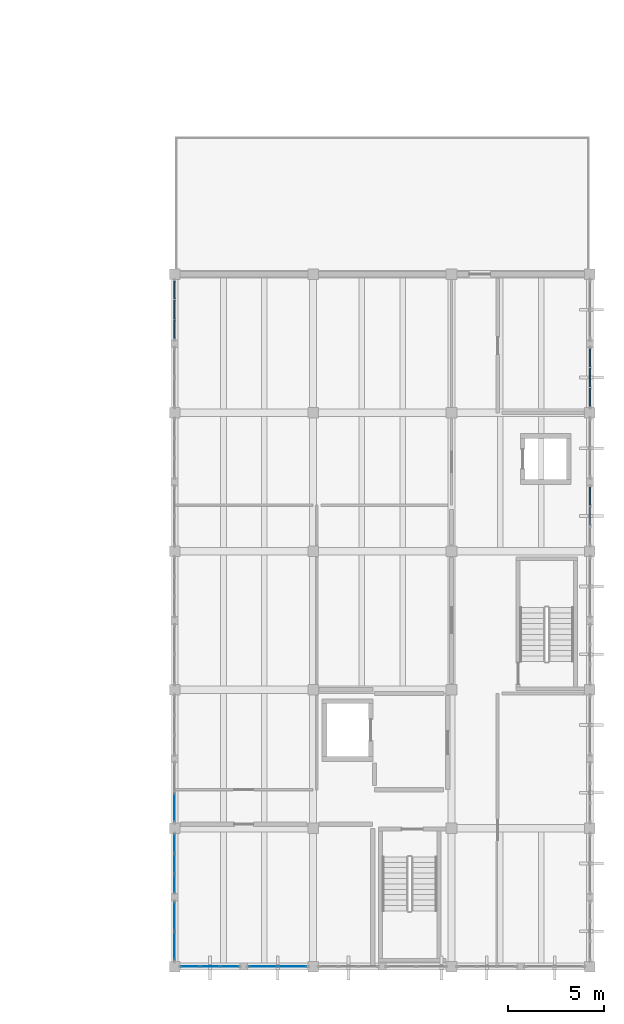
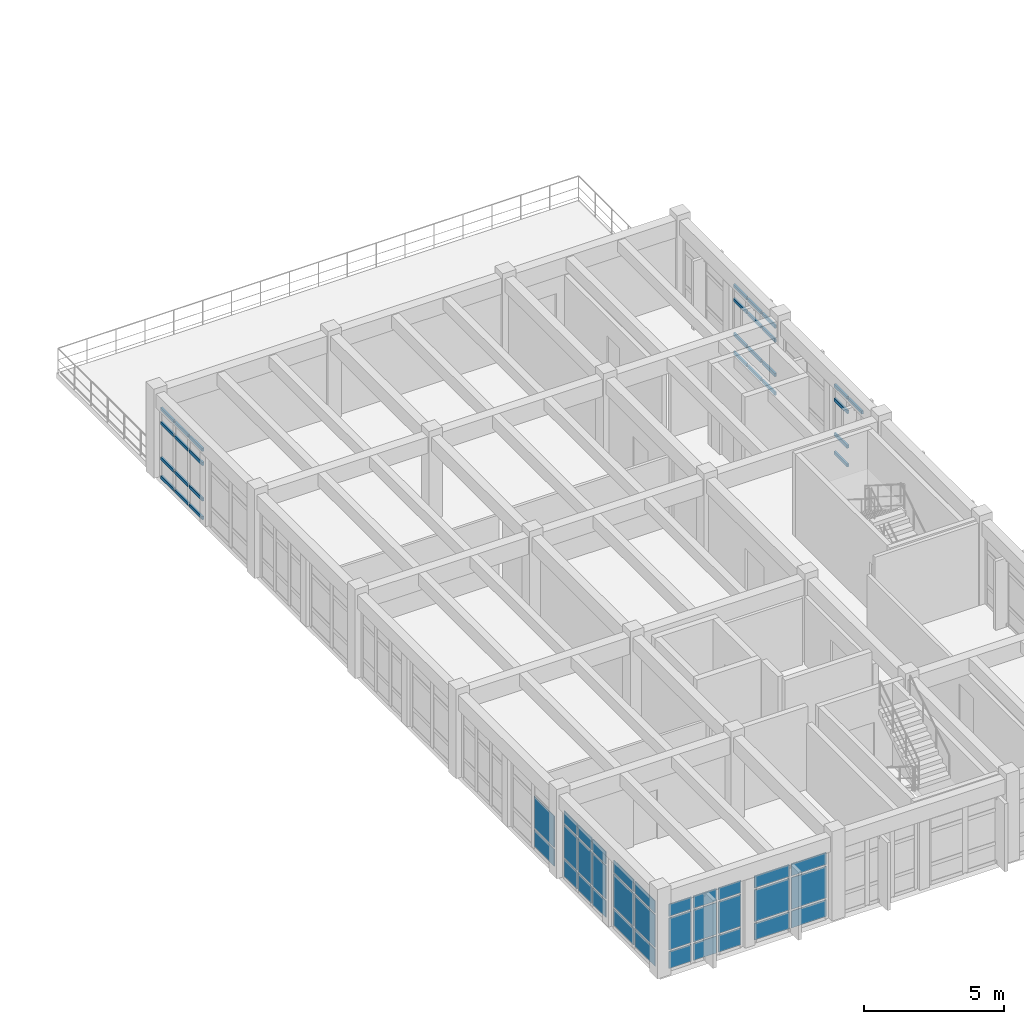
# One storey, part 11 of 22: 32 plates, 29 members, 8 elements without a shape of their own.
"""IFC4 building model written with IfcOpenShell, lengths in metres."""

from ifc_helpers import new_model, si_unit, direction, frame, origin, origin_2d, place, context, subcontext, project, spatial, rectangle, extrude, material, layer, layer_set, material_profile, profile_set, type_object, element, aggregate, save


model = new_model("IFC4")

# Units and contexts
model_context = context("Model", 3, precision=1e-05, world=origin(), true_north=direction((0.0, 1.0)))
body_context = subcontext(model_context, "Body", "Model", "MODEL_VIEW")
ifc_project = project(units=[si_unit("LENGTHUNIT", "METRE"), si_unit("AREAUNIT", "SQUARE_METRE"), si_unit("VOLUMEUNIT", "CUBIC_METRE"), si_unit("PLANEANGLEUNIT", "RADIAN"), si_unit("MASSUNIT", "GRAM", prefix="KILO")], contexts=[model_context])

# Site, building, storey
site_placement = place(None, origin())
site = spatial("IfcSite", under=ifc_project, at=site_placement, CompositionType="ELEMENT")
building_placement = place(site_placement, origin())
building = spatial("IfcBuilding", under=site, at=building_placement, Name="Koriwan Promenade Central Fire Station", CompositionType="ELEMENT")
storey_placement = place(building_placement, frame((0.0, 0.0, 17.39990234375)))
storey = spatial("IfcBuildingStorey", under=building, at=storey_placement, Name="L04", CompositionType="ELEMENT", Elevation=17.39990234375)

# Curtain wall, members
ifc_material_1 = material(Name="Aluminium EN AW-6063-T6 and low-E glazing", Category="aluminium")
ifc_layer_1 = layer(ifc_material_1, 0.159912109375, Name="Aluminium EN AW-6063-T6 and low-E glazing")
ifc_layer_set_1 = layer_set([ifc_layer_1], Name="Aluminium EN AW-6063-T6 and low-E glazing")
curtain_wall_type_1 = type_object("IfcCurtainWallType", Name="CurtainWall_84_312x301", PredefinedType="USERDEFINED", material=ifc_layer_set_1)
curtain_wall_1_placement = place(storey_placement, origin())
curtain_wall_1 = element("IfcCurtainWall", 1, at=curtain_wall_1_placement, inside=storey, type_object=curtain_wall_type_1, Name="V5 L04 unitised curtain wall 257", ObjectType="UNITISED CURTAIN WALL", PredefinedType="USERDEFINED")
ifc_material_2 = material(Name="Aluminium EN AW-6063-T6", Category="aluminium")
ifc_material_profile = material_profile(ifc_material_2, rectangle(XDim=0.074951171875, YDim=0.139892578125, at=origin_2d()), Name="ALU-TRN-75x140")
ifc_profile_set = profile_set([ifc_material_profile], Name="Aluminium EN AW-6063-T6")
member_type = type_object("IfcMemberType", Name="CWTransom_ALU-TRN-75x140", PredefinedType="USERDEFINED", material=ifc_profile_set)
member_1_placement = place(storey_placement, frame((172.800048828125, 22.9541015625, 2.97265625), z_axis=(0.0, 1.0, 0.0), x_axis=(-1.0, 0.0, 0.0)))
member_1 = element("IfcMember", 2, at=member_1_placement, type_object=member_type, Name="CW-84 transom 2.4", ObjectType="TRANSOM", PredefinedType="USERDEFINED", context=body_context, shape_type="SweptSolid", body=[
    extrude(rectangle(XDim=0.074951171875, YDim=0.139892578125, at=origin_2d()), origin(), (0.0, 0.0, 1.0), 0.966796875),
])
member_2_placement = place(storey_placement, frame((172.800048828125, 23.995849609375, 0.03759765625), z_axis=(0.0, 1.0, 0.0), x_axis=(-1.0, 0.0, 0.0)))
member_2 = element("IfcMember", 3, at=member_2_placement, type_object=member_type, Name="CW-84 transom 3.1", ObjectType="TRANSOM", PredefinedType="USERDEFINED", context=body_context, shape_type="SweptSolid", body=[
    extrude(rectangle(XDim=0.074951171875, YDim=0.139892578125, at=origin_2d()), origin(), (0.0, 0.0, 1.0), 0.92919921875),
])
member_3_placement = place(storey_placement, frame((172.800048828125, 23.995849609375, 0.85009765625), z_axis=(0.0, 1.0, 0.0), x_axis=(-1.0, 0.0, 0.0)))
member_3 = element("IfcMember", 4, at=member_3_placement, type_object=member_type, Name="CW-84 transom 3.2", ObjectType="TRANSOM", PredefinedType="USERDEFINED", context=body_context, shape_type="SweptSolid", body=[
    extrude(rectangle(XDim=0.074951171875, YDim=0.139892578125, at=origin_2d()), origin(), (0.0, 0.0, 1.0), 0.92919921875),
])
member_4_placement = place(storey_placement, frame((172.800048828125, 23.995849609375, 2.360107421875), z_axis=(0.0, 1.0, 0.0), x_axis=(-1.0, 0.0, 0.0)))
member_4 = element("IfcMember", 5, at=member_4_placement, type_object=member_type, Name="CW-84 transom 3.3", ObjectType="TRANSOM", PredefinedType="USERDEFINED", context=body_context, shape_type="SweptSolid", body=[
    extrude(rectangle(XDim=0.074951171875, YDim=0.139892578125, at=origin_2d()), origin(), (0.0, 0.0, 1.0), 0.92919921875),
])
member_5_placement = place(storey_placement, frame((172.800048828125, 23.995849609375, 2.97265625), z_axis=(0.0, 1.0, 0.0), x_axis=(-1.0, 0.0, 0.0)))
member_5 = element("IfcMember", 6, at=member_5_placement, type_object=member_type, Name="CW-84 transom 3.4", ObjectType="TRANSOM", PredefinedType="USERDEFINED", context=body_context, shape_type="SweptSolid", body=[
    extrude(rectangle(XDim=0.074951171875, YDim=0.139892578125, at=origin_2d()), origin(), (0.0, 0.0, 1.0), 0.92919921875),
])
aggregate(curtain_wall_1, [member_1, member_2, member_3, member_4, member_5])

ifc_layer_2 = layer(ifc_material_1, 0.159912109375, Name="Aluminium EN AW-6063-T6 and low-E glazing")
ifc_layer_set_2 = layer_set([ifc_layer_2], Name="Aluminium EN AW-6063-T6 and low-E glazing")
curtain_wall_type_2 = type_object("IfcCurtainWallType", Name="CurtainWall_86_313x300", PredefinedType="USERDEFINED", material=ifc_layer_set_2)
curtain_wall_2_placement = place(storey_placement, origin())
curtain_wall_2 = element("IfcCurtainWall", 7, at=curtain_wall_2_placement, inside=storey, type_object=curtain_wall_type_2, Name="V5 L04 unitised curtain wall 259", ObjectType="UNITISED CURTAIN WALL", PredefinedType="USERDEFINED")
member_6_placement = place(storey_placement, frame((172.800048828125, 29.14990234375, 0.03759765625), z_axis=(0.0, 1.0, 0.0), x_axis=(-1.0, 0.0, 0.0)))
member_6 = element("IfcMember", 8, at=member_6_placement, type_object=member_type, Name="CW-86 transom 1.1", ObjectType="TRANSOM", PredefinedType="USERDEFINED", context=body_context, shape_type="SweptSolid", body=[
    extrude(rectangle(XDim=0.074951171875, YDim=0.139892578125, at=origin_2d()), origin(), (0.0, 0.0, 1.0), 0.92919921875),
])
member_7_placement = place(storey_placement, frame((172.800048828125, 29.14990234375, 0.85009765625), z_axis=(0.0, 1.0, 0.0), x_axis=(-1.0, 0.0, 0.0)))
member_7 = element("IfcMember", 9, at=member_7_placement, type_object=member_type, Name="CW-86 transom 1.2", ObjectType="TRANSOM", PredefinedType="USERDEFINED", context=body_context, shape_type="SweptSolid", body=[
    extrude(rectangle(XDim=0.074951171875, YDim=0.139892578125, at=origin_2d()), origin(), (0.0, 0.0, 1.0), 0.92919921875),
])
member_8_placement = place(storey_placement, frame((172.800048828125, 29.14990234375, 2.35009765625), z_axis=(0.0, 1.0, 0.0), x_axis=(-1.0, 0.0, 0.0)))
member_8 = element("IfcMember", 10, at=member_8_placement, type_object=member_type, Name="CW-86 transom 1.3", ObjectType="TRANSOM", PredefinedType="USERDEFINED", context=body_context, shape_type="SweptSolid", body=[
    extrude(rectangle(XDim=0.074951171875, YDim=0.139892578125, at=origin_2d()), origin(), (0.0, 0.0, 1.0), 0.92919921875),
])
member_9_placement = place(storey_placement, frame((172.800048828125, 29.14990234375, 2.962646484375), z_axis=(0.0, 1.0, 0.0), x_axis=(-1.0, 0.0, 0.0)))
member_9 = element("IfcMember", 11, at=member_9_placement, type_object=member_type, Name="CW-86 transom 1.4", ObjectType="TRANSOM", PredefinedType="USERDEFINED", context=body_context, shape_type="SweptSolid", body=[
    extrude(rectangle(XDim=0.074951171875, YDim=0.139892578125, at=origin_2d()), origin(), (0.0, 0.0, 1.0), 0.92919921875),
])
member_10_placement = place(storey_placement, frame((172.800048828125, 30.154052734375, 0.03759765625), z_axis=(0.0, 1.0, 0.0), x_axis=(-1.0, 0.0, 0.0)))
member_10 = element("IfcMember", 12, at=member_10_placement, type_object=member_type, Name="CW-86 transom 2.1", ObjectType="TRANSOM", PredefinedType="USERDEFINED", context=body_context, shape_type="SweptSolid", body=[
    extrude(rectangle(XDim=0.074951171875, YDim=0.139892578125, at=origin_2d()), origin(), (0.0, 0.0, 1.0), 0.966796875),
])
member_11_placement = place(storey_placement, frame((172.800048828125, 30.154052734375, 0.85009765625), z_axis=(0.0, 1.0, 0.0), x_axis=(-1.0, 0.0, 0.0)))
member_11 = element("IfcMember", 13, at=member_11_placement, type_object=member_type, Name="CW-86 transom 2.2", ObjectType="TRANSOM", PredefinedType="USERDEFINED", context=body_context, shape_type="SweptSolid", body=[
    extrude(rectangle(XDim=0.074951171875, YDim=0.139892578125, at=origin_2d()), origin(), (0.0, 0.0, 1.0), 0.966796875),
])
member_12_placement = place(storey_placement, frame((172.800048828125, 30.154052734375, 2.35009765625), z_axis=(0.0, 1.0, 0.0), x_axis=(-1.0, 0.0, 0.0)))
member_12 = element("IfcMember", 14, at=member_12_placement, type_object=member_type, Name="CW-86 transom 2.3", ObjectType="TRANSOM", PredefinedType="USERDEFINED", context=body_context, shape_type="SweptSolid", body=[
    extrude(rectangle(XDim=0.074951171875, YDim=0.139892578125, at=origin_2d()), origin(), (0.0, 0.0, 1.0), 0.966796875),
])
member_13_placement = place(storey_placement, frame((172.800048828125, 30.154052734375, 2.962646484375), z_axis=(0.0, 1.0, 0.0), x_axis=(-1.0, 0.0, 0.0)))
member_13 = element("IfcMember", 15, at=member_13_placement, type_object=member_type, Name="CW-86 transom 2.4", ObjectType="TRANSOM", PredefinedType="USERDEFINED", context=body_context, shape_type="SweptSolid", body=[
    extrude(rectangle(XDim=0.074951171875, YDim=0.139892578125, at=origin_2d()), origin(), (0.0, 0.0, 1.0), 0.966796875),
])
member_14_placement = place(storey_placement, frame((172.800048828125, 31.19580078125, 0.03759765625), z_axis=(0.0, 1.0, 0.0), x_axis=(-1.0, 0.0, 0.0)))
member_14 = element("IfcMember", 16, at=member_14_placement, type_object=member_type, Name="CW-86 transom 3.1", ObjectType="TRANSOM", PredefinedType="USERDEFINED", context=body_context, shape_type="SweptSolid", body=[
    extrude(rectangle(XDim=0.074951171875, YDim=0.139892578125, at=origin_2d()), origin(), (0.0, 0.0, 1.0), 0.92919921875),
])
member_15_placement = place(storey_placement, frame((172.800048828125, 31.19580078125, 0.85009765625), z_axis=(0.0, 1.0, 0.0), x_axis=(-1.0, 0.0, 0.0)))
member_15 = element("IfcMember", 17, at=member_15_placement, type_object=member_type, Name="CW-86 transom 3.2", ObjectType="TRANSOM", PredefinedType="USERDEFINED", context=body_context, shape_type="SweptSolid", body=[
    extrude(rectangle(XDim=0.074951171875, YDim=0.139892578125, at=origin_2d()), origin(), (0.0, 0.0, 1.0), 0.92919921875),
])
member_16_placement = place(storey_placement, frame((172.800048828125, 31.19580078125, 2.35009765625), z_axis=(0.0, 1.0, 0.0), x_axis=(-1.0, 0.0, 0.0)))
member_16 = element("IfcMember", 18, at=member_16_placement, type_object=member_type, Name="CW-86 transom 3.3", ObjectType="TRANSOM", PredefinedType="USERDEFINED", context=body_context, shape_type="SweptSolid", body=[
    extrude(rectangle(XDim=0.074951171875, YDim=0.139892578125, at=origin_2d()), origin(), (0.0, 0.0, 1.0), 0.92919921875),
])
member_17_placement = place(storey_placement, frame((172.800048828125, 31.19580078125, 2.962646484375), z_axis=(0.0, 1.0, 0.0), x_axis=(-1.0, 0.0, 0.0)))
member_17 = element("IfcMember", 19, at=member_17_placement, type_object=member_type, Name="CW-86 transom 3.4", ObjectType="TRANSOM", PredefinedType="USERDEFINED", context=body_context, shape_type="SweptSolid", body=[
    extrude(rectangle(XDim=0.074951171875, YDim=0.139892578125, at=origin_2d()), origin(), (0.0, 0.0, 1.0), 0.92919921875),
])
aggregate(curtain_wall_2, [member_6, member_7, member_8, member_9, member_10, member_11, member_12, member_13, member_14, member_15, member_16, member_17])

ifc_layer_3 = layer(ifc_material_1, 0.159912109375, Name="Aluminium EN AW-6063-T6 and low-E glazing")
ifc_layer_set_3 = layer_set([ifc_layer_3], Name="Aluminium EN AW-6063-T6 and low-E glazing")
curtain_wall_type_3 = type_object("IfcCurtainWallType", Name="CurtainWall_88_312x305", PredefinedType="USERDEFINED", material=ifc_layer_set_3)
curtain_wall_3_placement = place(storey_placement, origin())
curtain_wall_3 = element("IfcCurtainWall", 20, at=curtain_wall_3_placement, inside=storey, type_object=curtain_wall_type_3, Name="V5 L04 unitised curtain wall 261", ObjectType="UNITISED CURTAIN WALL", PredefinedType="USERDEFINED")
member_18_placement = place(storey_placement, frame((151.199951171875, 35.64990234375, 0.03759765625), z_axis=(0.0, -1.0, 0.0), x_axis=(1.0, 0.0, 0.0)))
member_18 = element("IfcMember", 21, at=member_18_placement, type_object=member_type, Name="CW-88 transom 1.1", ObjectType="TRANSOM", PredefinedType="USERDEFINED", context=body_context, shape_type="SweptSolid", body=[
    extrude(rectangle(XDim=0.074951171875, YDim=0.139892578125, at=origin_2d()), origin(), (0.0, 0.0, 1.0), 0.928955078125),
])
member_19_placement = place(storey_placement, frame((151.199951171875, 35.64990234375, 0.85009765625), z_axis=(0.0, -1.0, 0.0), x_axis=(1.0, 0.0, 0.0)))
member_19 = element("IfcMember", 22, at=member_19_placement, type_object=member_type, Name="CW-88 transom 1.2", ObjectType="TRANSOM", PredefinedType="USERDEFINED", context=body_context, shape_type="SweptSolid", body=[
    extrude(rectangle(XDim=0.074951171875, YDim=0.139892578125, at=origin_2d()), origin(), (0.0, 0.0, 1.0), 0.928955078125),
])
member_20_placement = place(storey_placement, frame((151.199951171875, 35.64990234375, 2.400146484375), z_axis=(0.0, -1.0, 0.0), x_axis=(1.0, 0.0, 0.0)))
member_20 = element("IfcMember", 23, at=member_20_placement, type_object=member_type, Name="CW-88 transom 1.3", ObjectType="TRANSOM", PredefinedType="USERDEFINED", context=body_context, shape_type="SweptSolid", body=[
    extrude(rectangle(XDim=0.074951171875, YDim=0.139892578125, at=origin_2d()), origin(), (0.0, 0.0, 1.0), 0.928955078125),
])
member_21_placement = place(storey_placement, frame((151.199951171875, 35.64990234375, 3.0126953125), z_axis=(0.0, -1.0, 0.0), x_axis=(1.0, 0.0, 0.0)))
member_21 = element("IfcMember", 24, at=member_21_placement, type_object=member_type, Name="CW-88 transom 1.4", ObjectType="TRANSOM", PredefinedType="USERDEFINED", context=body_context, shape_type="SweptSolid", body=[
    extrude(rectangle(XDim=0.074951171875, YDim=0.139892578125, at=origin_2d()), origin(), (0.0, 0.0, 1.0), 0.928955078125),
])
member_22_placement = place(storey_placement, frame((151.199951171875, 34.645751953125, 0.03759765625), z_axis=(0.0, -1.0, 0.0), x_axis=(1.0, 0.0, 0.0)))
member_22 = element("IfcMember", 25, at=member_22_placement, type_object=member_type, Name="CW-88 transom 2.1", ObjectType="TRANSOM", PredefinedType="USERDEFINED", context=body_context, shape_type="SweptSolid", body=[
    extrude(rectangle(XDim=0.074951171875, YDim=0.139892578125, at=origin_2d()), origin(), (0.0, 0.0, 1.0), 0.966552734375),
])
member_23_placement = place(storey_placement, frame((151.199951171875, 34.645751953125, 0.85009765625), z_axis=(0.0, -1.0, 0.0), x_axis=(1.0, 0.0, 0.0)))
member_23 = element("IfcMember", 26, at=member_23_placement, type_object=member_type, Name="CW-88 transom 2.2", ObjectType="TRANSOM", PredefinedType="USERDEFINED", context=body_context, shape_type="SweptSolid", body=[
    extrude(rectangle(XDim=0.074951171875, YDim=0.139892578125, at=origin_2d()), origin(), (0.0, 0.0, 1.0), 0.966552734375),
])
member_24_placement = place(storey_placement, frame((151.199951171875, 34.645751953125, 2.400146484375), z_axis=(0.0, -1.0, 0.0), x_axis=(1.0, 0.0, 0.0)))
member_24 = element("IfcMember", 27, at=member_24_placement, type_object=member_type, Name="CW-88 transom 2.3", ObjectType="TRANSOM", PredefinedType="USERDEFINED", context=body_context, shape_type="SweptSolid", body=[
    extrude(rectangle(XDim=0.074951171875, YDim=0.139892578125, at=origin_2d()), origin(), (0.0, 0.0, 1.0), 0.966552734375),
])
member_25_placement = place(storey_placement, frame((151.199951171875, 34.645751953125, 3.0126953125), z_axis=(0.0, -1.0, 0.0), x_axis=(1.0, 0.0, 0.0)))
member_25 = element("IfcMember", 28, at=member_25_placement, type_object=member_type, Name="CW-88 transom 2.4", ObjectType="TRANSOM", PredefinedType="USERDEFINED", context=body_context, shape_type="SweptSolid", body=[
    extrude(rectangle(XDim=0.074951171875, YDim=0.139892578125, at=origin_2d()), origin(), (0.0, 0.0, 1.0), 0.966552734375),
])
member_26_placement = place(storey_placement, frame((151.199951171875, 33.604248046875, 0.03759765625), z_axis=(0.0, -1.0, 0.0), x_axis=(1.0, 0.0, 0.0)))
member_26 = element("IfcMember", 29, at=member_26_placement, type_object=member_type, Name="CW-88 transom 3.1", ObjectType="TRANSOM", PredefinedType="USERDEFINED", context=body_context, shape_type="SweptSolid", body=[
    extrude(rectangle(XDim=0.074951171875, YDim=0.139892578125, at=origin_2d()), origin(), (0.0, 0.0, 1.0), 0.92919921875),
])
member_27_placement = place(storey_placement, frame((151.199951171875, 33.604248046875, 0.85009765625), z_axis=(0.0, -1.0, 0.0), x_axis=(1.0, 0.0, 0.0)))
member_27 = element("IfcMember", 30, at=member_27_placement, type_object=member_type, Name="CW-88 transom 3.2", ObjectType="TRANSOM", PredefinedType="USERDEFINED", context=body_context, shape_type="SweptSolid", body=[
    extrude(rectangle(XDim=0.074951171875, YDim=0.139892578125, at=origin_2d()), origin(), (0.0, 0.0, 1.0), 0.92919921875),
])
member_28_placement = place(storey_placement, frame((151.199951171875, 33.604248046875, 2.400146484375), z_axis=(0.0, -1.0, 0.0), x_axis=(1.0, 0.0, 0.0)))
member_28 = element("IfcMember", 31, at=member_28_placement, type_object=member_type, Name="CW-88 transom 3.3", ObjectType="TRANSOM", PredefinedType="USERDEFINED", context=body_context, shape_type="SweptSolid", body=[
    extrude(rectangle(XDim=0.074951171875, YDim=0.139892578125, at=origin_2d()), origin(), (0.0, 0.0, 1.0), 0.92919921875),
])
member_29_placement = place(storey_placement, frame((151.199951171875, 33.604248046875, 3.0126953125), z_axis=(0.0, -1.0, 0.0), x_axis=(1.0, 0.0, 0.0)))
member_29 = element("IfcMember", 32, at=member_29_placement, type_object=member_type, Name="CW-88 transom 3.4", ObjectType="TRANSOM", PredefinedType="USERDEFINED", context=body_context, shape_type="SweptSolid", body=[
    extrude(rectangle(XDim=0.074951171875, YDim=0.139892578125, at=origin_2d()), origin(), (0.0, 0.0, 1.0), 0.92919921875),
])
aggregate(curtain_wall_3, [member_18, member_19, member_20, member_21, member_22, member_23, member_24, member_25, member_26, member_27, member_28, member_29])

# Curtain wall, plates
ifc_layer_4 = layer(ifc_material_1, 0.159912109375, Name="Aluminium EN AW-6063-T6 and low-E glazing")
ifc_layer_set_4 = layer_set([ifc_layer_4], Name="Aluminium EN AW-6063-T6 and low-E glazing")
curtain_wall_type_4 = type_object("IfcCurtainWallType", Name="CurtainWall_83_312x296", PredefinedType="USERDEFINED", material=ifc_layer_set_4)
curtain_wall_4_placement = place(storey_placement, origin())
curtain_wall_4 = element("IfcCurtainWall", 33, at=curtain_wall_4_placement, inside=storey, type_object=curtain_wall_type_4, Name="V5 L04 unitised curtain wall 268", ObjectType="UNITISED CURTAIN WALL", PredefinedType="USERDEFINED")
ifc_material_3 = material(Name="Low-E laminated double glazing", Category="glass")
ifc_layer_5 = layer(ifc_material_3, 0.028076171875, Name="Low-E laminated double glazing")
ifc_layer_set_5 = layer_set([ifc_layer_5], Name="Low-E laminated double glazing")
plate_type_1 = type_object("IfcPlateType", Name="CWPanel_28", PredefinedType="CURTAIN_PANEL", material=ifc_layer_set_5)
plate_1_placement = place(storey_placement, frame((151.199951171875, 8.2763671875, 0.080078125), z_axis=(0.0, 0.0, 1.0), x_axis=(0.0, -1.0, 0.0)))
plate_1 = element("IfcPlate", 34, at=plate_1_placement, type_object=plate_type_1, Name="CW-83 panel 2.1", PredefinedType="CURTAIN_PANEL", context=body_context, shape_type="SweptSolid", body=[
    extrude(rectangle(XDim=1.4423828125, YDim=0.028076171875, at=origin_2d()), origin(), (0.0, 0.0, 1.0), 0.72998046875),
])
plate_2_placement = place(storey_placement, frame((151.199951171875, 8.2763671875, 0.89013671875), z_axis=(0.0, 0.0, 1.0), x_axis=(0.0, -1.0, 0.0)))
plate_2 = element("IfcPlate", 35, at=plate_2_placement, type_object=plate_type_1, Name="CW-83 panel 2.2", PredefinedType="CURTAIN_PANEL", context=body_context, shape_type="SweptSolid", body=[
    extrude(rectangle(XDim=1.4423828125, YDim=0.028076171875, at=origin_2d()), origin(), (0.0, 0.0, 1.0), 1.3798828125),
])
aggregate(curtain_wall_4, [plate_1, plate_2])

ifc_layer_6 = layer(ifc_material_1, 0.159912109375, Name="Aluminium EN AW-6063-T6 and low-E glazing")
ifc_layer_set_6 = layer_set([ifc_layer_6], Name="Aluminium EN AW-6063-T6 and low-E glazing")
curtain_wall_type_5 = type_object("IfcCurtainWallType", Name="CurtainWall_85_312x301", PredefinedType="USERDEFINED", material=ifc_layer_set_6)
curtain_wall_5_placement = place(storey_placement, origin())
curtain_wall_5 = element("IfcCurtainWall", 36, at=curtain_wall_5_placement, inside=storey, type_object=curtain_wall_type_5, Name="V5 L04 unitised curtain wall 270", ObjectType="UNITISED CURTAIN WALL", PredefinedType="USERDEFINED")
plate_3_placement = place(storey_placement, frame((151.199951171875, 2.5986328125, 0.080078125), z_axis=(0.0, 0.0, 1.0), x_axis=(0.0, -1.0, 0.0)))
plate_3 = element("IfcPlate", 37, at=plate_3_placement, type_object=plate_type_1, Name="CW-85 panel 1.1", PredefinedType="CURTAIN_PANEL", context=body_context, shape_type="SweptSolid", body=[
    extrude(rectangle(XDim=1.4423828125, YDim=0.028076171875, at=origin_2d()), origin(), (0.0, 0.0, 1.0), 0.72998046875),
])
plate_4_placement = place(storey_placement, frame((151.199951171875, 2.5986328125, 0.89013671875), z_axis=(0.0, 0.0, 1.0), x_axis=(0.0, -1.0, 0.0)))
plate_4 = element("IfcPlate", 38, at=plate_4_placement, type_object=plate_type_1, Name="CW-85 panel 1.2", PredefinedType="CURTAIN_PANEL", context=body_context, shape_type="SweptSolid", body=[
    extrude(rectangle(XDim=1.4423828125, YDim=0.028076171875, at=origin_2d()), origin(), (0.0, 0.0, 1.0), 1.429931640625),
])
plate_5_placement = place(storey_placement, frame((151.199951171875, 2.5986328125, 2.39990234375), z_axis=(0.0, 0.0, 1.0), x_axis=(0.0, -1.0, 0.0)))
plate_5 = element("IfcPlate", 39, at=plate_5_placement, type_object=plate_type_1, Name="CW-85 panel 1.3", PredefinedType="CURTAIN_PANEL", context=body_context, shape_type="SweptSolid", body=[
    extrude(rectangle(XDim=1.4423828125, YDim=0.028076171875, at=origin_2d()), origin(), (0.0, 0.0, 1.0), 0.530029296875),
])
plate_6_placement = place(storey_placement, frame((151.199951171875, 1.076171875, 0.080078125), z_axis=(0.0, 0.0, 1.0), x_axis=(0.0, -1.0, 0.0)))
plate_6 = element("IfcPlate", 40, at=plate_6_placement, type_object=plate_type_1, Name="CW-85 panel 2.1", PredefinedType="CURTAIN_PANEL", context=body_context, shape_type="SweptSolid", body=[
    extrude(rectangle(XDim=1.4423828125, YDim=0.028076171875, at=origin_2d()), origin(), (0.0, 0.0, 1.0), 0.72998046875),
])
plate_7_placement = place(storey_placement, frame((151.199951171875, 1.076171875, 0.89013671875), z_axis=(0.0, 0.0, 1.0), x_axis=(0.0, -1.0, 0.0)))
plate_7 = element("IfcPlate", 41, at=plate_7_placement, type_object=plate_type_1, Name="CW-85 panel 2.2", PredefinedType="CURTAIN_PANEL", context=body_context, shape_type="SweptSolid", body=[
    extrude(rectangle(XDim=1.4423828125, YDim=0.028076171875, at=origin_2d()), origin(), (0.0, 0.0, 1.0), 1.429931640625),
])
plate_8_placement = place(storey_placement, frame((151.199951171875, 1.076171875, 2.39990234375), z_axis=(0.0, 0.0, 1.0), x_axis=(0.0, -1.0, 0.0)))
plate_8 = element("IfcPlate", 42, at=plate_8_placement, type_object=plate_type_1, Name="CW-85 panel 2.3", PredefinedType="CURTAIN_PANEL", context=body_context, shape_type="SweptSolid", body=[
    extrude(rectangle(XDim=1.4423828125, YDim=0.028076171875, at=origin_2d()), origin(), (0.0, 0.0, 1.0), 0.530029296875),
])
aggregate(curtain_wall_5, [plate_3, plate_4, plate_5, plate_6, plate_7, plate_8])

curtain_wall_6_placement = place(storey_placement, origin())
curtain_wall_6 = element("IfcCurtainWall", 43, at=curtain_wall_6_placement, inside=storey, type_object=curtain_wall_type_4, Name="V5 L04 unitised curtain wall 272", ObjectType="UNITISED CURTAIN WALL", PredefinedType="USERDEFINED")
plate_9_placement = place(storey_placement, frame((155.80126953125, 0.0, 0.080078125), z_axis=(0.0, 0.0, 1.0), x_axis=(1.0, 0.0, 0.0)))
plate_9 = element("IfcPlate", 44, at=plate_9_placement, type_object=plate_type_1, Name="CW-83 panel 1.1", PredefinedType="CURTAIN_PANEL", context=body_context, shape_type="SweptSolid", body=[
    extrude(rectangle(XDim=1.4423828125, YDim=0.028076171875, at=origin_2d()), origin(), (0.0, 0.0, 1.0), 0.72998046875),
])
plate_10_placement = place(storey_placement, frame((155.80126953125, 0.0, 0.89013671875), z_axis=(0.0, 0.0, 1.0), x_axis=(1.0, 0.0, 0.0)))
plate_10 = element("IfcPlate", 45, at=plate_10_placement, type_object=plate_type_1, Name="CW-83 panel 1.2", PredefinedType="CURTAIN_PANEL", context=body_context, shape_type="SweptSolid", body=[
    extrude(rectangle(XDim=1.4423828125, YDim=0.028076171875, at=origin_2d()), origin(), (0.0, 0.0, 1.0), 1.3798828125),
])
plate_11_placement = place(storey_placement, frame((155.80126953125, 0.0, 2.35009765625), z_axis=(0.0, 0.0, 1.0), x_axis=(1.0, 0.0, 0.0)))
plate_11 = element("IfcPlate", 46, at=plate_11_placement, type_object=plate_type_1, Name="CW-83 panel 1.3", PredefinedType="CURTAIN_PANEL", context=body_context, shape_type="SweptSolid", body=[
    extrude(rectangle(XDim=1.4423828125, YDim=0.028076171875, at=origin_2d()), origin(), (0.0, 0.0, 1.0), 0.530029296875),
])
plate_12_placement = place(storey_placement, frame((157.32373046875, 0.0, 0.080078125), z_axis=(0.0, 0.0, 1.0), x_axis=(1.0, 0.0, 0.0)))
plate_12 = element("IfcPlate", 47, at=plate_12_placement, type_object=plate_type_1, Name="CW-83 panel 2.1", PredefinedType="CURTAIN_PANEL", context=body_context, shape_type="SweptSolid", body=[
    extrude(rectangle(XDim=1.4423828125, YDim=0.028076171875, at=origin_2d()), origin(), (0.0, 0.0, 1.0), 0.72998046875),
])
plate_13_placement = place(storey_placement, frame((157.32373046875, 0.0, 0.89013671875), z_axis=(0.0, 0.0, 1.0), x_axis=(1.0, 0.0, 0.0)))
plate_13 = element("IfcPlate", 48, at=plate_13_placement, type_object=plate_type_1, Name="CW-83 panel 2.2", PredefinedType="CURTAIN_PANEL", context=body_context, shape_type="SweptSolid", body=[
    extrude(rectangle(XDim=1.4423828125, YDim=0.028076171875, at=origin_2d()), origin(), (0.0, 0.0, 1.0), 1.3798828125),
])
plate_14_placement = place(storey_placement, frame((157.32373046875, 0.0, 2.35009765625), z_axis=(0.0, 0.0, 1.0), x_axis=(1.0, 0.0, 0.0)))
plate_14 = element("IfcPlate", 49, at=plate_14_placement, type_object=plate_type_1, Name="CW-83 panel 2.3", PredefinedType="CURTAIN_PANEL", context=body_context, shape_type="SweptSolid", body=[
    extrude(rectangle(XDim=1.4423828125, YDim=0.028076171875, at=origin_2d()), origin(), (0.0, 0.0, 1.0), 0.530029296875),
])
aggregate(curtain_wall_6, [plate_9, plate_10, plate_11, plate_12, plate_13, plate_14])

curtain_wall_7_placement = place(storey_placement, origin())
curtain_wall_7 = element("IfcCurtainWall", 50, at=curtain_wall_7_placement, inside=storey, type_object=curtain_wall_type_1, Name="V5 L04 unitised curtain wall 269", ObjectType="UNITISED CURTAIN WALL", PredefinedType="USERDEFINED")
ifc_material_4 = material(Name="Solar-control low-E acoustic glazing", Category="glass")
ifc_layer_7 = layer(ifc_material_4, 0.031982421875, Name="Solar-control low-E acoustic glazing")
ifc_layer_set_7 = layer_set([ifc_layer_7], Name="Solar-control low-E acoustic glazing")
plate_type_2 = type_object("IfcPlateType", Name="CWPanel_32", PredefinedType="CURTAIN_PANEL", material=ifc_layer_set_7)
plate_15_placement = place(storey_placement, frame((151.199951171875, 6.385498046875, 0.0751953125), z_axis=(0.0, 0.0, 1.0), x_axis=(0.0, -1.0, 0.0)))
plate_15 = element("IfcPlate", 51, at=plate_15_placement, type_object=plate_type_2, Name="CW-84 panel 1.1", PredefinedType="CURTAIN_PANEL", context=body_context, shape_type="SweptSolid", body=[
    extrude(rectangle(XDim=0.92919921875, YDim=0.031982421875, at=origin_2d()), origin(), (0.0, 0.0, 1.0), 0.737548828125),
])
plate_16_placement = place(storey_placement, frame((151.199951171875, 6.385498046875, 0.887451171875), z_axis=(0.0, 0.0, 1.0), x_axis=(0.0, -1.0, 0.0)))
plate_16 = element("IfcPlate", 52, at=plate_16_placement, type_object=plate_type_2, Name="CW-84 panel 1.2", PredefinedType="CURTAIN_PANEL", context=body_context, shape_type="SweptSolid", body=[
    extrude(rectangle(XDim=0.92919921875, YDim=0.031982421875, at=origin_2d()), origin(), (0.0, 0.0, 1.0), 1.43505859375),
])
plate_17_placement = place(storey_placement, frame((151.199951171875, 6.385498046875, 2.3974609375), z_axis=(0.0, 0.0, 1.0), x_axis=(0.0, -1.0, 0.0)))
plate_17 = element("IfcPlate", 53, at=plate_17_placement, type_object=plate_type_2, Name="CW-84 panel 1.3", PredefinedType="CURTAIN_PANEL", context=body_context, shape_type="SweptSolid", body=[
    extrude(rectangle(XDim=0.92919921875, YDim=0.031982421875, at=origin_2d()), origin(), (0.0, 0.0, 1.0), 0.53759765625),
])
plate_18_placement = place(storey_placement, frame((151.199951171875, 5.362548828125, 0.0751953125), z_axis=(0.0, 0.0, 1.0), x_axis=(0.0, -1.0, 0.0)))
plate_18 = element("IfcPlate", 54, at=plate_18_placement, type_object=plate_type_2, Name="CW-84 panel 2.1", PredefinedType="CURTAIN_PANEL", context=body_context, shape_type="SweptSolid", body=[
    extrude(rectangle(XDim=0.966552734375, YDim=0.031982421875, at=origin_2d()), origin(), (0.0, 0.0, 1.0), 0.737548828125),
])
plate_19_placement = place(storey_placement, frame((151.199951171875, 5.362548828125, 0.887451171875), z_axis=(0.0, 0.0, 1.0), x_axis=(0.0, -1.0, 0.0)))
plate_19 = element("IfcPlate", 55, at=plate_19_placement, type_object=plate_type_2, Name="CW-84 panel 2.2", PredefinedType="CURTAIN_PANEL", context=body_context, shape_type="SweptSolid", body=[
    extrude(rectangle(XDim=0.966552734375, YDim=0.031982421875, at=origin_2d()), origin(), (0.0, 0.0, 1.0), 1.43505859375),
])
plate_20_placement = place(storey_placement, frame((151.199951171875, 5.362548828125, 2.3974609375), z_axis=(0.0, 0.0, 1.0), x_axis=(0.0, -1.0, 0.0)))
plate_20 = element("IfcPlate", 56, at=plate_20_placement, type_object=plate_type_2, Name="CW-84 panel 2.3", PredefinedType="CURTAIN_PANEL", context=body_context, shape_type="SweptSolid", body=[
    extrude(rectangle(XDim=0.966552734375, YDim=0.031982421875, at=origin_2d()), origin(), (0.0, 0.0, 1.0), 0.53759765625),
])
plate_21_placement = place(storey_placement, frame((151.199951171875, 4.339599609375, 0.0751953125), z_axis=(0.0, 0.0, 1.0), x_axis=(0.0, -1.0, 0.0)))
plate_21 = element("IfcPlate", 57, at=plate_21_placement, type_object=plate_type_2, Name="CW-84 panel 3.1", PredefinedType="CURTAIN_PANEL", context=body_context, shape_type="SweptSolid", body=[
    extrude(rectangle(XDim=0.92919921875, YDim=0.031982421875, at=origin_2d()), origin(), (0.0, 0.0, 1.0), 0.737548828125),
])
plate_22_placement = place(storey_placement, frame((151.199951171875, 4.339599609375, 0.887451171875), z_axis=(0.0, 0.0, 1.0), x_axis=(0.0, -1.0, 0.0)))
plate_22 = element("IfcPlate", 58, at=plate_22_placement, type_object=plate_type_2, Name="CW-84 panel 3.2", PredefinedType="CURTAIN_PANEL", context=body_context, shape_type="SweptSolid", body=[
    extrude(rectangle(XDim=0.92919921875, YDim=0.031982421875, at=origin_2d()), origin(), (0.0, 0.0, 1.0), 1.43505859375),
])
plate_23_placement = place(storey_placement, frame((151.199951171875, 4.339599609375, 2.3974609375), z_axis=(0.0, 0.0, 1.0), x_axis=(0.0, -1.0, 0.0)))
plate_23 = element("IfcPlate", 59, at=plate_23_placement, type_object=plate_type_2, Name="CW-84 panel 3.3", PredefinedType="CURTAIN_PANEL", context=body_context, shape_type="SweptSolid", body=[
    extrude(rectangle(XDim=0.92919921875, YDim=0.031982421875, at=origin_2d()), origin(), (0.0, 0.0, 1.0), 0.53759765625),
])
aggregate(curtain_wall_7, [plate_15, plate_16, plate_17, plate_18, plate_19, plate_20, plate_21, plate_22, plate_23])

ifc_layer_8 = layer(ifc_material_1, 0.159912109375, Name="Aluminium EN AW-6063-T6 and low-E glazing")
ifc_layer_set_8 = layer_set([ifc_layer_8], Name="Aluminium EN AW-6063-T6 and low-E glazing")
curtain_wall_type_6 = type_object("IfcCurtainWallType", Name="CurtainWall_82_312x296", PredefinedType="USERDEFINED", material=ifc_layer_set_8)
curtain_wall_8_placement = place(storey_placement, origin())
curtain_wall_8 = element("IfcCurtainWall", 60, at=curtain_wall_8_placement, inside=storey, type_object=curtain_wall_type_6, Name="V5 L04 unitised curtain wall 271", ObjectType="UNITISED CURTAIN WALL", PredefinedType="USERDEFINED")
plate_24_placement = place(storey_placement, frame((152.0146484375, 0.0, 0.0751953125), z_axis=(0.0, 0.0, 1.0), x_axis=(1.0, 0.0, 0.0)))
plate_24 = element("IfcPlate", 61, at=plate_24_placement, type_object=plate_type_2, Name="CW-82 panel 1.1", PredefinedType="CURTAIN_PANEL", context=body_context, shape_type="SweptSolid", body=[
    extrude(rectangle(XDim=0.92919921875, YDim=0.031982421875, at=origin_2d()), origin(), (0.0, 0.0, 1.0), 0.737548828125),
])
plate_25_placement = place(storey_placement, frame((152.0146484375, 0.0, 0.8876953125), z_axis=(0.0, 0.0, 1.0), x_axis=(1.0, 0.0, 0.0)))
plate_25 = element("IfcPlate", 62, at=plate_25_placement, type_object=plate_type_2, Name="CW-82 panel 1.2", PredefinedType="CURTAIN_PANEL", context=body_context, shape_type="SweptSolid", body=[
    extrude(rectangle(XDim=0.92919921875, YDim=0.031982421875, at=origin_2d()), origin(), (0.0, 0.0, 1.0), 1.385009765625),
])
plate_26_placement = place(storey_placement, frame((152.0146484375, 0.0, 2.34765625), z_axis=(0.0, 0.0, 1.0), x_axis=(1.0, 0.0, 0.0)))
plate_26 = element("IfcPlate", 63, at=plate_26_placement, type_object=plate_type_2, Name="CW-82 panel 1.3", PredefinedType="CURTAIN_PANEL", context=body_context, shape_type="SweptSolid", body=[
    extrude(rectangle(XDim=0.92919921875, YDim=0.031982421875, at=origin_2d()), origin(), (0.0, 0.0, 1.0), 0.53759765625),
])
plate_27_placement = place(storey_placement, frame((153.03759765625, 0.0, 0.0751953125), z_axis=(0.0, 0.0, 1.0), x_axis=(1.0, 0.0, 0.0)))
plate_27 = element("IfcPlate", 64, at=plate_27_placement, type_object=plate_type_2, Name="CW-82 panel 2.1", PredefinedType="CURTAIN_PANEL", context=body_context, shape_type="SweptSolid", body=[
    extrude(rectangle(XDim=0.966552734375, YDim=0.031982421875, at=origin_2d()), origin(), (0.0, 0.0, 1.0), 0.737548828125),
])
plate_28_placement = place(storey_placement, frame((153.03759765625, 0.0, 0.8876953125), z_axis=(0.0, 0.0, 1.0), x_axis=(1.0, 0.0, 0.0)))
plate_28 = element("IfcPlate", 65, at=plate_28_placement, type_object=plate_type_2, Name="CW-82 panel 2.2", PredefinedType="CURTAIN_PANEL", context=body_context, shape_type="SweptSolid", body=[
    extrude(rectangle(XDim=0.966552734375, YDim=0.031982421875, at=origin_2d()), origin(), (0.0, 0.0, 1.0), 1.385009765625),
])
plate_29_placement = place(storey_placement, frame((153.03759765625, 0.0, 2.34765625), z_axis=(0.0, 0.0, 1.0), x_axis=(1.0, 0.0, 0.0)))
plate_29 = element("IfcPlate", 66, at=plate_29_placement, type_object=plate_type_2, Name="CW-82 panel 2.3", PredefinedType="CURTAIN_PANEL", context=body_context, shape_type="SweptSolid", body=[
    extrude(rectangle(XDim=0.966552734375, YDim=0.031982421875, at=origin_2d()), origin(), (0.0, 0.0, 1.0), 0.53759765625),
])
plate_30_placement = place(storey_placement, frame((154.060302734375, 0.0, 0.0751953125), z_axis=(0.0, 0.0, 1.0), x_axis=(1.0, 0.0, 0.0)))
plate_30 = element("IfcPlate", 67, at=plate_30_placement, type_object=plate_type_2, Name="CW-82 panel 3.1", PredefinedType="CURTAIN_PANEL", context=body_context, shape_type="SweptSolid", body=[
    extrude(rectangle(XDim=0.92919921875, YDim=0.031982421875, at=origin_2d()), origin(), (0.0, 0.0, 1.0), 0.737548828125),
])
plate_31_placement = place(storey_placement, frame((154.060302734375, 0.0, 0.8876953125), z_axis=(0.0, 0.0, 1.0), x_axis=(1.0, 0.0, 0.0)))
plate_31 = element("IfcPlate", 68, at=plate_31_placement, type_object=plate_type_2, Name="CW-82 panel 3.2", PredefinedType="CURTAIN_PANEL", context=body_context, shape_type="SweptSolid", body=[
    extrude(rectangle(XDim=0.92919921875, YDim=0.031982421875, at=origin_2d()), origin(), (0.0, 0.0, 1.0), 1.385009765625),
])
plate_32_placement = place(storey_placement, frame((154.060302734375, 0.0, 2.34765625), z_axis=(0.0, 0.0, 1.0), x_axis=(1.0, 0.0, 0.0)))
plate_32 = element("IfcPlate", 69, at=plate_32_placement, type_object=plate_type_2, Name="CW-82 panel 3.3", PredefinedType="CURTAIN_PANEL", context=body_context, shape_type="SweptSolid", body=[
    extrude(rectangle(XDim=0.92919921875, YDim=0.031982421875, at=origin_2d()), origin(), (0.0, 0.0, 1.0), 0.53759765625),
])
aggregate(curtain_wall_8, [plate_24, plate_25, plate_26, plate_27, plate_28, plate_29, plate_30, plate_31, plate_32])

save(model, "model.ifc")
